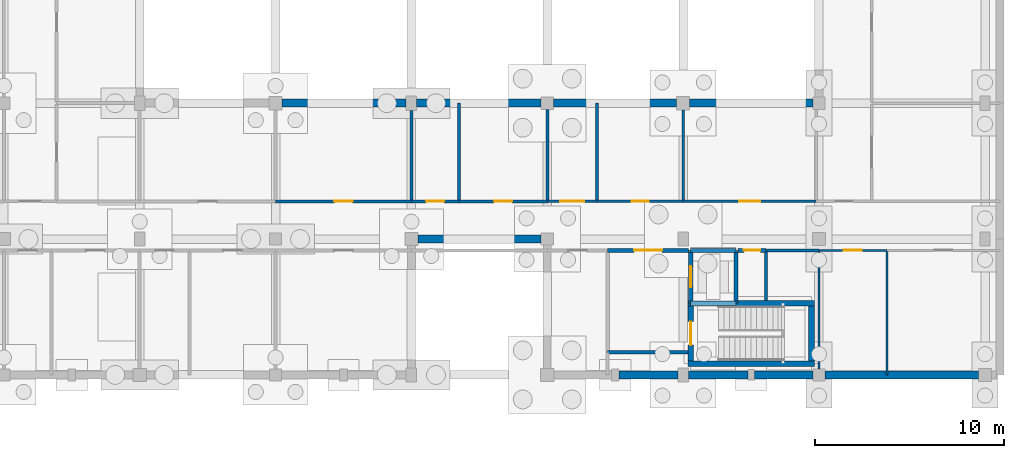
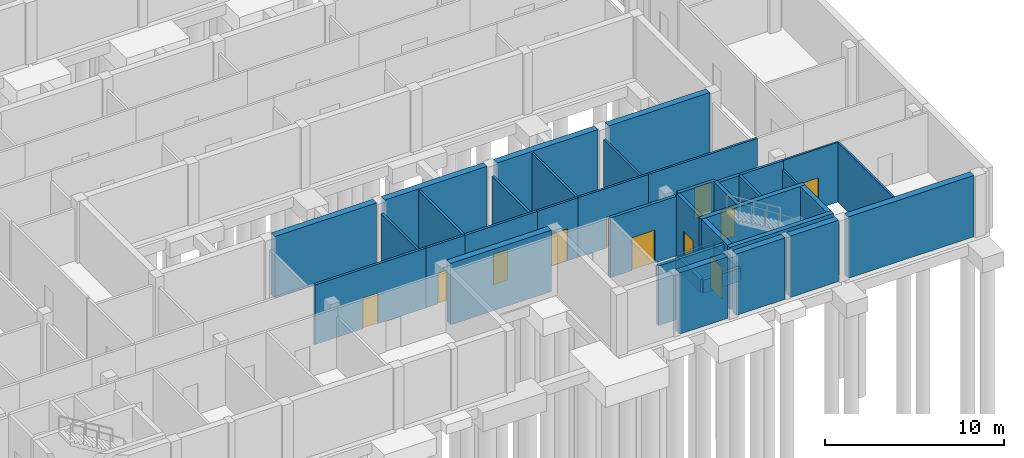
# One storey, part 9 of 17: 39 walls, 11 doors, 11 openings.
"""IFC4 building model written with IfcOpenShell, lengths in metres."""

from ifc_helpers import new_model, si_unit, direction, frame, frame_2d, origin, place, context, subcontext, project, spatial, rectangle, extrude, material, layer, layer_set, type_object, element, fill, save


model = new_model("IFC4")

# Units and contexts
model_context = context("Model", 3, precision=1e-05, world=origin(), true_north=direction((0.0, 1.0)))
body_context = subcontext(model_context, "Body", "Model", "MODEL_VIEW")
ifc_project = project(units=[si_unit("LENGTHUNIT", "METRE"), si_unit("AREAUNIT", "SQUARE_METRE"), si_unit("VOLUMEUNIT", "CUBIC_METRE"), si_unit("PLANEANGLEUNIT", "RADIAN"), si_unit("MASSUNIT", "GRAM", prefix="KILO")], contexts=[model_context])

# Site, building, storey
site_placement = place(None, origin())
site = spatial("IfcSite", under=ifc_project, at=site_placement, CompositionType="ELEMENT")
building_placement = place(site_placement, origin())
building = spatial("IfcBuilding", under=site, at=building_placement, Name="Hawrajan Terrace Health Centre", CompositionType="ELEMENT")
storey_placement = place(building_placement, frame((0.0, 0.0, -4.5)))
storey = spatial("IfcBuildingStorey", under=building, at=storey_placement, Name="B1", CompositionType="ELEMENT", Elevation=-4.5)

# Wall, opening, door
ifc_material_1 = material(Name="Gypsum board on acoustic stud framing")
ifc_layer_1 = layer(ifc_material_1, 0.139892578125)
ifc_layer_set_1 = layer_set([ifc_layer_1], Name="Gypsum board on acoustic stud framing")
wall_type_1 = type_object("IfcWallType", Name="ClinicalAcousticWall_140", PredefinedType="PARTITIONING", material=ifc_layer_set_1)
wall_1_placement = place(storey_placement, frame((47.800048828125, 13.39990234375, 0.0), z_axis=(0.0, 0.0, 1.0), x_axis=(1.0, 0.0, 0.0)))
wall_1 = element("IfcWall", 1, at=wall_1_placement, inside=storey, type_object=wall_type_1, Name="Interior wall IW-B1-0111", PredefinedType="PARTITIONING", context=body_context, shape_type="SweptSolid", body=[
    extrude(rectangle(XDim=2.635009765625, YDim=0.139892578125, at=frame_2d((1.3173828125, 0.0))), origin(), (0.0, 0.0, 1.0), 4.080078125),
])
opening_1_placement = place(wall_1_placement, frame((0.677490234375, 0.0, 0.0)))
opening_1 = element("IfcOpeningElement", 2, at=opening_1_placement, cuts=wall_1, Name="Opening D-B1-069", PredefinedType="OPENING", context=body_context, shape_type="SweptSolid", body=[
    extrude(rectangle(XDim=1.280029296875, YDim=2.199951171875, at=frame_2d((0.64013671875, 1.10009765625))), frame((0.0, 0.079833984375, 0.0), z_axis=(0.0, -1.0, 0.0), x_axis=(1.0, 0.0, 0.0)), (0.0, 0.0, 1.0), 0.159912109375),
])
ifc_material_2 = material(Name="Hardwood acoustic clinical door leaf and frame", Category="wood")
door_type_1 = type_object("IfcDoorType", Name="ExamSuiteDoor_1280x2200", OperationType="NOTDEFINED", PredefinedType="DOOR", material=ifc_material_2)
door_1_placement = place(opening_1_placement, origin())
door_1 = element("IfcDoor", 3, at=door_1_placement, inside=storey, type_object=door_type_1, Name="Interior door D-B1-069", OperationType="SINGLE_SWING_LEFT", OverallHeight=2.199951171875, OverallWidth=1.280029296875, PredefinedType="DOOR", context=body_context, shape_type="SweptSolid", body=[
    extrude(rectangle(XDim=1.280029296875, YDim=2.199951171875, at=frame_2d((0.64013671875, 1.10009765625))), frame((0.0, 0.02490234375, 0.0), z_axis=(0.0, -1.0, 0.0), x_axis=(1.0, 0.0, 0.0)), (0.0, 0.0, 1.0), 0.050048828125),
])
fill(opening_1, door_1)

# Wall
wall_2_placement = place(storey_placement, frame((50.43505859375, 13.469970703125, 0.0), z_axis=(0.0, 0.0, 1.0), x_axis=(0.0, 1.0, 0.0)))
element("IfcWall", 4, at=wall_2_placement, inside=storey, type_object=wall_type_1, Name="Interior wall IW-B1-0118", PredefinedType="PARTITIONING", context=body_context, shape_type="SweptSolid", body=[
    extrude(rectangle(XDim=5.130126953125, YDim=0.139892578125, at=frame_2d((2.56494140625, 0.0))), origin(), (0.0, 0.0, 1.0), 4.080078125),
])

# Wall, opening, door
wall_3_placement = place(storey_placement, frame((50.43505859375, 13.39990234375, 0.0), z_axis=(0.0, 0.0, 1.0), x_axis=(1.0, 0.0, 0.0)))
wall_3 = element("IfcWall", 5, at=wall_3_placement, inside=storey, type_object=wall_type_1, Name="Interior wall IW-B1-0119", PredefinedType="PARTITIONING", context=body_context, shape_type="SweptSolid", body=[
    extrude(rectangle(XDim=4.56494140625, YDim=0.139892578125, at=frame_2d((2.282470703125, 0.0))), origin(), (0.0, 0.0, 1.0), 4.080078125),
])
opening_2_placement = place(wall_3_placement, frame((1.83251953125, 0.0, 0.0)))
opening_2 = element("IfcOpeningElement", 6, at=opening_2_placement, cuts=wall_3, Name="Opening D-B1-070", PredefinedType="OPENING", context=body_context, shape_type="SweptSolid", body=[
    extrude(rectangle(XDim=0.89990234375, YDim=2.10009765625, at=frame_2d((0.449951171875, 1.050048828125))), frame((0.0, 0.079833984375, 0.0), z_axis=(0.0, -1.0, 0.0), x_axis=(1.0, 0.0, 0.0)), (0.0, 0.0, 1.0), 0.159912109375),
])
door_type_2 = type_object("IfcDoorType", Name="PatientWCDoor_900x2100", OperationType="NOTDEFINED", PredefinedType="DOOR", material=ifc_material_2)
door_2_placement = place(opening_2_placement, origin())
door_2 = element("IfcDoor", 7, at=door_2_placement, inside=storey, type_object=door_type_2, Name="Interior door D-B1-070", OperationType="SINGLE_SWING_RIGHT", OverallHeight=2.10009765625, OverallWidth=0.89990234375, PredefinedType="DOOR", context=body_context, shape_type="SweptSolid", body=[
    extrude(rectangle(XDim=0.89990234375, YDim=2.10009765625, at=frame_2d((0.449951171875, 1.050048828125))), frame((0.0, 0.02490234375, 0.0), z_axis=(0.0, -1.0, 0.0), x_axis=(1.0, 0.0, 0.0)), (0.0, 0.0, 1.0), 0.050048828125),
])
fill(opening_2, door_2)

# Wall
wall_4_placement = place(storey_placement, frame((55.0, 13.469970703125, 0.0), z_axis=(0.0, 0.0, 1.0), x_axis=(0.0, 1.0, 0.0)))
element("IfcWall", 8, at=wall_4_placement, inside=storey, type_object=wall_type_1, Name="Interior wall IW-B1-0125", PredefinedType="PARTITIONING", context=body_context, shape_type="SweptSolid", body=[
    extrude(rectangle(XDim=4.780029296875, YDim=0.139892578125, at=frame_2d((2.39013671875, 0.0))), origin(), (0.0, 0.0, 1.0), 3.5),
])

# Wall, opening, door
wall_5_placement = place(storey_placement, frame((55.0, 13.39990234375, 0.0), z_axis=(0.0, 0.0, 1.0), x_axis=(1.0, 0.0, 0.0)))
wall_5 = element("IfcWall", 9, at=wall_5_placement, inside=storey, type_object=wall_type_1, Name="Interior wall IW-B1-0126", PredefinedType="PARTITIONING", context=body_context, shape_type="SweptSolid", body=[
    extrude(rectangle(XDim=7.050048828125, YDim=0.139892578125, at=frame_2d((3.52490234375, 0.0))), origin(), (0.0, 0.0, 1.0), 4.080078125),
])
opening_3_placement = place(wall_5_placement, frame((2.97509765625, 0.0, 0.0)))
opening_3 = element("IfcOpeningElement", 10, at=opening_3_placement, cuts=wall_5, Name="Opening D-B1-071", PredefinedType="OPENING", context=body_context, shape_type="SweptSolid", body=[
    extrude(rectangle(XDim=1.10009765625, YDim=2.10009765625, at=frame_2d((0.550048828125, 1.050048828125))), frame((0.0, 0.079833984375, 0.0), z_axis=(0.0, -1.0, 0.0), x_axis=(1.0, 0.0, 0.0)), (0.0, 0.0, 1.0), 0.159912109375),
])
door_type_3 = type_object("IfcDoorType", Name="ConsultDoor_1100x2100", OperationType="NOTDEFINED", PredefinedType="DOOR", material=ifc_material_2)
door_3_placement = place(opening_3_placement, origin())
door_3 = element("IfcDoor", 11, at=door_3_placement, inside=storey, type_object=door_type_3, Name="Interior door D-B1-071", OperationType="SINGLE_SWING_LEFT", OverallHeight=2.10009765625, OverallWidth=1.10009765625, PredefinedType="DOOR", context=body_context, shape_type="SweptSolid", body=[
    extrude(rectangle(XDim=1.10009765625, YDim=2.10009765625, at=frame_2d((0.550048828125, 1.050048828125))), frame((0.0, 0.02490234375, 0.0), z_axis=(0.0, -1.0, 0.0), x_axis=(1.0, 0.0, 0.0)), (0.0, 0.0, 1.0), 0.050048828125),
])
fill(opening_3, door_3)

# Walls
ifc_material_3 = material(Name="Concrete C40/50", Category="concrete")
ifc_layer_2 = layer(ifc_material_3, 0.300048828125)
ifc_layer_set_2 = layer_set([ifc_layer_2], Name="Concrete C40/50")
wall_type_2 = type_object("IfcWallType", Name="CoreShearWall_RC300", PredefinedType="SHEAR", material=ifc_layer_set_2)
for number, where, z_axis, x_axis, name in (
    (12, (55.25, 4.800048828125, 0.0), (0.0, 0.0, 1.0), (1.0, 0.0, 0.0), "Core shear wall SW-C4-B1-S"),
    (13, (55.25, 8.0, 0.0), (0.0, 0.0, 1.0), (1.0, 0.0, 0.0), "Core shear wall SW-C4-B1-N"),
):
    element("IfcWall", number, at=place(storey_placement, frame(where, z_axis=z_axis, x_axis=x_axis)), inside=storey, type_object=wall_type_2, Name=name, PredefinedType="SHEAR", context=body_context, shape_type="SweptSolid", body=[
        extrude(rectangle(XDim=6.699951171875, YDim=0.300048828125, at=frame_2d((3.35009765625, 0.0))), origin(), (0.0, 0.0, 1.0), 4.25),
    ])

# Wall, opening, door
wall_6_placement = place(storey_placement, frame((55.39990234375, 4.949951171875, 0.0), z_axis=(0.0, 0.0, 1.0), x_axis=(0.0, 1.0, 0.0)))
wall_6 = element("IfcWall", 14, at=wall_6_placement, inside=storey, type_object=wall_type_2, Name="Core shear wall SW-C4-B1-W", PredefinedType="SHEAR", context=body_context, shape_type="SweptSolid", body=[
    extrude(rectangle(XDim=2.900146484375, YDim=0.300048828125, at=frame_2d((1.4501953125, 0.0))), origin(), (0.0, 0.0, 1.0), 4.25),
])
opening_4_placement = place(wall_6_placement, frame((0.824951171875, 0.0, 0.0)))
opening_4 = element("IfcOpeningElement", 15, at=opening_4_placement, cuts=wall_6, Name="Opening D-B1-004", PredefinedType="OPENING", context=body_context, shape_type="SweptSolid", body=[
    extrude(rectangle(XDim=1.25, YDim=2.14990234375, at=frame_2d((0.625, 1.074951171875))), frame((0.0, 0.159912109375, 0.0), z_axis=(0.0, -1.0, 0.0), x_axis=(1.0, 0.0, 0.0)), (0.0, 0.0, 1.0), 0.320068359375),
])
ifc_material_4 = material(Name="Timber-veneered acoustic fire-resisting door assembly", Category="wood")
door_type_4 = type_object("IfcDoorType", Name="CoreStairDoor_1250x2150", OperationType="NOTDEFINED", PredefinedType="DOOR", material=ifc_material_4)
door_4_placement = place(opening_4_placement, origin())
door_4 = element("IfcDoor", 16, at=door_4_placement, inside=storey, type_object=door_type_4, Name="Interior door D-B1-004", OperationType="SINGLE_SWING_RIGHT", OverallHeight=2.14990234375, OverallWidth=1.25, PredefinedType="DOOR", context=body_context, shape_type="SweptSolid", body=[
    extrude(rectangle(XDim=1.25, YDim=2.14990234375, at=frame_2d((0.625, 1.074951171875))), frame((0.0, 0.02490234375, 0.0), z_axis=(0.0, -1.0, 0.0), x_axis=(1.0, 0.0, 0.0)), (0.0, 0.0, 1.0), 0.050048828125),
])
fill(opening_4, door_4)

# Wall
wall_7_placement = place(storey_placement, frame((61.800048828125, 4.949951171875, 0.0), z_axis=(0.0, 0.0, 1.0), x_axis=(0.0, 1.0, 0.0)))
element("IfcWall", 17, at=wall_7_placement, inside=storey, type_object=wall_type_2, Name="Core shear wall SW-C4-B1-E", PredefinedType="SHEAR", context=body_context, shape_type="SweptSolid", body=[
    extrude(rectangle(XDim=2.900146484375, YDim=0.300048828125, at=frame_2d((1.4501953125, 0.0))), origin(), (0.0, 0.0, 1.0), 4.25),
])

# Wall, opening, door
ifc_layer_3 = layer(ifc_material_1, 0.159912109375)
ifc_layer_set_3 = layer_set([ifc_layer_3], Name="Gypsum board on acoustic stud framing")
wall_type_3 = type_object("IfcWallType", Name="CorridorFireWall_160", PredefinedType="PARTITIONING", material=ifc_layer_set_3)
wall_8_placement = place(storey_placement, frame((33.39990234375, 13.39990234375, 0.0), z_axis=(0.0, 0.0, 1.0), x_axis=(1.0, 0.0, 0.0)))
wall_8 = element("IfcWall", 18, at=wall_8_placement, inside=storey, type_object=wall_type_3, Name="Interior wall IW-B1-0082", PredefinedType="PARTITIONING", context=body_context, shape_type="SweptSolid", body=[
    extrude(rectangle(XDim=7.2001953125, YDim=0.159912109375, at=frame_2d((3.60009765625, 0.0))), origin(), (0.0, 0.0, 1.0), 4.080078125),
])
opening_5_placement = place(wall_8_placement, frame((3.1201171875, 0.0, 0.0)))
opening_5 = element("IfcOpeningElement", 19, at=opening_5_placement, cuts=wall_8, Name="Opening D-B1-088", PredefinedType="OPENING", context=body_context, shape_type="SweptSolid", body=[
    extrude(rectangle(XDim=0.9599609375, YDim=2.10009765625, at=frame_2d((0.47998046875, 1.050048828125))), frame((0.0, 0.08984375, 0.0), z_axis=(0.0, -1.0, 0.0), x_axis=(1.0, 0.0, 0.0)), (0.0, 0.0, 1.0), 0.179931640625),
])
door_type_5 = type_object("IfcDoorType", Name="ClinicalFireDoor_960x2100", OperationType="NOTDEFINED", PredefinedType="DOOR", material=ifc_material_4)
door_5_placement = place(opening_5_placement, origin())
door_5 = element("IfcDoor", 20, at=door_5_placement, inside=storey, type_object=door_type_5, Name="Interior door D-B1-088", OperationType="SINGLE_SWING_RIGHT", OverallHeight=2.10009765625, OverallWidth=0.9599609375, PredefinedType="DOOR", context=body_context, shape_type="SweptSolid", body=[
    extrude(rectangle(XDim=0.9599609375, YDim=2.10009765625, at=frame_2d((0.47998046875, 1.050048828125))), frame((0.0, 0.02490234375, 0.0), z_axis=(0.0, -1.0, 0.0), x_axis=(1.0, 0.0, 0.0)), (0.0, 0.0, 1.0), 0.050048828125),
])
fill(opening_5, door_5)

# Wall
wall_9_placement = place(storey_placement, frame((40.60009765625, 13.469970703125, 0.0), z_axis=(0.0, 0.0, 1.0), x_axis=(0.0, 1.0, 0.0)))
element("IfcWall", 21, at=wall_9_placement, inside=storey, type_object=wall_type_3, Name="Interior wall IW-B1-0093", PredefinedType="PARTITIONING", context=body_context, shape_type="SweptSolid", body=[
    extrude(rectangle(XDim=4.755126953125, YDim=0.159912109375, at=frame_2d((2.37744140625, 0.0))), origin(), (0.0, 0.0, 1.0), 3.5),
])

# Wall, opening, door
wall_10_placement = place(storey_placement, frame((40.60009765625, 13.39990234375, 0.0), z_axis=(0.0, 0.0, 1.0), x_axis=(1.0, 0.0, 0.0)))
wall_10 = element("IfcWall", 22, at=wall_10_placement, inside=storey, type_object=wall_type_3, Name="Interior wall IW-B1-0094", PredefinedType="PARTITIONING", context=body_context, shape_type="SweptSolid", body=[
    extrude(rectangle(XDim=2.512939453125, YDim=0.159912109375, at=frame_2d((1.25634765625, 0.0))), origin(), (0.0, 0.0, 1.0), 4.080078125),
])
opening_6_placement = place(wall_10_placement, frame((0.776611328125, 0.0, 0.0)))
opening_6 = element("IfcOpeningElement", 23, at=opening_6_placement, cuts=wall_10, Name="Opening D-B1-089", PredefinedType="OPENING", context=body_context, shape_type="SweptSolid", body=[
    extrude(rectangle(XDim=0.9599609375, YDim=2.10009765625, at=frame_2d((0.47998046875, 1.050048828125))), frame((0.0, 0.08984375, 0.0), z_axis=(0.0, -1.0, 0.0), x_axis=(1.0, 0.0, 0.0)), (0.0, 0.0, 1.0), 0.179931640625),
])
door_6_placement = place(opening_6_placement, origin())
door_6 = element("IfcDoor", 24, at=door_6_placement, inside=storey, type_object=door_type_5, Name="Interior door D-B1-089", OperationType="SINGLE_SWING_LEFT", OverallHeight=2.10009765625, OverallWidth=0.9599609375, PredefinedType="DOOR", context=body_context, shape_type="SweptSolid", body=[
    extrude(rectangle(XDim=0.9599609375, YDim=2.10009765625, at=frame_2d((0.47998046875, 1.050048828125))), frame((0.0, 0.02490234375, 0.0), z_axis=(0.0, -1.0, 0.0), x_axis=(1.0, 0.0, 0.0)), (0.0, 0.0, 1.0), 0.050048828125),
])
fill(opening_6, door_6)

# Wall
wall_11_placement = place(storey_placement, frame((43.113037109375, 13.469970703125, 0.0), z_axis=(0.0, 0.0, 1.0), x_axis=(0.0, 1.0, 0.0)))
element("IfcWall", 25, at=wall_11_placement, inside=storey, type_object=wall_type_3, Name="Interior wall IW-B1-0103", PredefinedType="PARTITIONING", context=body_context, shape_type="SweptSolid", body=[
    extrude(rectangle(XDim=5.130126953125, YDim=0.159912109375, at=frame_2d((2.56494140625, 0.0))), origin(), (0.0, 0.0, 1.0), 4.080078125),
])

# Wall, opening, door
wall_12_placement = place(storey_placement, frame((43.113037109375, 13.39990234375, 0.0), z_axis=(0.0, 0.0, 1.0), x_axis=(1.0, 0.0, 0.0)))
wall_12 = element("IfcWall", 26, at=wall_12_placement, inside=storey, type_object=wall_type_3, Name="Interior wall IW-B1-0104", PredefinedType="PARTITIONING", context=body_context, shape_type="SweptSolid", body=[
    extrude(rectangle(XDim=4.68701171875, YDim=0.159912109375, at=frame_2d((2.343505859375, 0.0))), origin(), (0.0, 0.0, 1.0), 4.080078125),
])
opening_7_placement = place(wall_12_placement, frame((1.863525390625, 0.0, 0.0)))
opening_7 = element("IfcOpeningElement", 27, at=opening_7_placement, cuts=wall_12, Name="Opening D-B1-090", PredefinedType="OPENING", context=body_context, shape_type="SweptSolid", body=[
    extrude(rectangle(XDim=0.9599609375, YDim=2.10009765625, at=frame_2d((0.47998046875, 1.050048828125))), frame((0.0, 0.08984375, 0.0), z_axis=(0.0, -1.0, 0.0), x_axis=(1.0, 0.0, 0.0)), (0.0, 0.0, 1.0), 0.179931640625),
])
door_7_placement = place(opening_7_placement, origin())
door_7 = element("IfcDoor", 28, at=door_7_placement, inside=storey, type_object=door_type_5, Name="Interior door D-B1-090", OperationType="SINGLE_SWING_RIGHT", OverallHeight=2.10009765625, OverallWidth=0.9599609375, PredefinedType="DOOR", context=body_context, shape_type="SweptSolid", body=[
    extrude(rectangle(XDim=0.9599609375, YDim=2.10009765625, at=frame_2d((0.47998046875, 1.050048828125))), frame((0.0, 0.02490234375, 0.0), z_axis=(0.0, -1.0, 0.0), x_axis=(1.0, 0.0, 0.0)), (0.0, 0.0, 1.0), 0.050048828125),
])
fill(opening_7, door_7)

# Walls
wall_13_placement = place(storey_placement, frame((47.800048828125, 13.469970703125, 0.0), z_axis=(0.0, 0.0, 1.0), x_axis=(0.0, 1.0, 0.0)))
element("IfcWall", 29, at=wall_13_placement, inside=storey, type_object=wall_type_3, Name="Interior wall IW-B1-0110", PredefinedType="PARTITIONING", context=body_context, shape_type="SweptSolid", body=[
    extrude(rectangle(XDim=4.804931640625, YDim=0.159912109375, at=frame_2d((2.40234375, 0.0))), origin(), (0.0, 0.0, 1.0), 3.5),
])
wall_14_placement = place(storey_placement, frame((59.39990234375, 8.139892578125, 0.0), z_axis=(0.0, 0.0, 1.0), x_axis=(0.0, 1.0, 0.0)))
element("IfcWall", 30, at=wall_14_placement, inside=storey, type_object=wall_type_3, Name="Interior wall IW-B1-0174", PredefinedType="PARTITIONING", context=body_context, shape_type="SweptSolid", body=[
    extrude(rectangle(XDim=2.590087890625, YDim=0.159912109375, at=frame_2d((1.294921875, 0.0))), origin(), (0.0, 0.0, 1.0), 4.080078125),
])
wall_15_placement = place(storey_placement, frame((59.39990234375, 10.800048828125, 0.0), z_axis=(0.0, 0.0, 1.0), x_axis=(1.0, 0.0, 0.0)))
element("IfcWall", 31, at=wall_15_placement, inside=storey, type_object=wall_type_3, Name="Interior wall IW-B1-0187", PredefinedType="PARTITIONING", context=body_context, shape_type="SweptSolid", body=[
    extrude(rectangle(XDim=2.800048828125, YDim=0.159912109375, at=frame_2d((1.39990234375, 0.0))), origin(), (0.0, 0.0, 1.0), 4.080078125),
])

# Wall, opening, door
ifc_material_5 = material(Name="Cross-laminated timber CLT C24", Category="wood")
ifc_layer_4 = layer(ifc_material_5, 0.199951171875)
ifc_layer_set_4 = layer_set([ifc_layer_4], Name="Cross-laminated timber CLT C24")
wall_type_4 = type_object("IfcWallType", Name="FireCompartmentWall_200", PredefinedType="PARTITIONING", material=ifc_layer_set_4)
wall_16_placement = place(storey_placement, frame((51.0, 10.800048828125, 0.0), z_axis=(0.0, 0.0, 1.0), x_axis=(1.0, 0.0, 0.0)))
wall_16 = element("IfcWall", 32, at=wall_16_placement, inside=storey, type_object=wall_type_4, Name="Interior wall IW-B1-0124", PredefinedType="PARTITIONING", context=body_context, shape_type="SweptSolid", body=[
    extrude(rectangle(XDim=4.2900390625, YDim=0.199951171875, at=frame_2d((2.14501953125, 0.0))), origin(), (0.0, 0.0, 1.0), 4.080078125),
])
opening_8_placement = place(wall_16_placement, frame((1.405029296875, 0.0, 0.0)))
opening_8 = element("IfcOpeningElement", 33, at=opening_8_placement, cuts=wall_16, Name="Opening D-B1-008", PredefinedType="OPENING", context=body_context, shape_type="SweptSolid", body=[
    extrude(rectangle(XDim=1.47998046875, YDim=2.25, at=frame_2d((0.739990234375, 1.125))), frame((0.0, 0.10986328125, 0.0), z_axis=(0.0, -1.0, 0.0), x_axis=(1.0, 0.0, 0.0)), (0.0, 0.0, 1.0), 0.219970703125),
])
door_type_6 = type_object("IfcDoorType", Name="FFLobbyDoor_1480x2250", OperationType="DOUBLE_DOOR_SINGLE_SWING", PredefinedType="DOOR", material=ifc_material_4)
door_8_placement = place(opening_8_placement, origin())
door_8 = element("IfcDoor", 34, at=door_8_placement, inside=storey, type_object=door_type_6, Name="Interior door D-B1-008", OperationType="DOUBLE_DOOR_SINGLE_SWING", OverallHeight=2.25, OverallWidth=1.47998046875, PredefinedType="DOOR", context=body_context, shape_type="SweptSolid", body=[
    extrude(rectangle(XDim=1.47998046875, YDim=2.25, at=frame_2d((0.739990234375, 1.125))), frame((0.0, 0.02490234375, 0.0), z_axis=(0.0, -1.0, 0.0), x_axis=(1.0, 0.0, 0.0)), (0.0, 0.0, 1.0), 0.050048828125),
])
fill(opening_8, door_8)

# Walls
wall_17_placement = place(storey_placement, frame((51.0, 5.39990234375, 0.0), z_axis=(0.0, 0.0, 1.0), x_axis=(1.0, 0.0, 0.0)))
element("IfcWall", 35, at=wall_17_placement, inside=storey, type_object=wall_type_4, Name="Interior wall IW-B1-0178", PredefinedType="PARTITIONING", context=body_context, shape_type="SweptSolid", body=[
    extrude(rectangle(XDim=4.260009765625, YDim=0.199951171875, at=frame_2d((2.1298828125, 0.0))), origin(), (0.0, 0.0, 1.0), 4.080078125),
])
ifc_layer_5 = layer(ifc_material_3, 0.419921875)
ifc_layer_set_5 = layer_set([ifc_layer_5], Name="Concrete C40/50")
wall_type_5 = type_object("IfcWallType", Name="RetainingWall_RC420", PredefinedType="USERDEFINED", material=ifc_layer_set_5)
wall_18_placement = place(storey_placement, frame((33.75, 18.60009765625, 0.0), z_axis=(0.0, 0.0, 1.0), x_axis=(1.0, 0.0, 0.0)))
element("IfcWall", 36, at=wall_18_placement, inside=storey, type_object=wall_type_5, Name="Exterior wall EW-B1-H04-02-1", ObjectType="RETAINING WALL", PredefinedType="USERDEFINED", context=body_context, shape_type="SweptSolid", body=[
    extrude(rectangle(XDim=6.574951171875, YDim=0.419921875, at=frame_2d((3.28759765625, 0.0))), origin(), (0.0, 0.0, 1.0), 4.199951171875),
])
wall_19_placement = place(storey_placement, frame((40.949951171875, 11.39990234375, 0.0), z_axis=(0.0, 0.0, 1.0), x_axis=(1.0, 0.0, 0.0)))
element("IfcWall", 37, at=wall_19_placement, inside=storey, type_object=wall_type_5, Name="Exterior wall EW-B1-H05-01-1", ObjectType="RETAINING WALL", PredefinedType="USERDEFINED", context=body_context, shape_type="SweptSolid", body=[
    extrude(rectangle(XDim=6.525146484375, YDim=0.419921875, at=frame_2d((3.2626953125, 0.0))), origin(), (0.0, 0.0, 1.0), 4.199951171875),
])
wall_20_placement = place(storey_placement, frame((40.875, 18.60009765625, 0.0), z_axis=(0.0, 0.0, 1.0), x_axis=(1.0, 0.0, 0.0)))
element("IfcWall", 38, at=wall_20_placement, inside=storey, type_object=wall_type_5, Name="Exterior wall EW-B1-H05-02-1", ObjectType="RETAINING WALL", PredefinedType="USERDEFINED", context=body_context, shape_type="SweptSolid", body=[
    extrude(rectangle(XDim=6.60009765625, YDim=0.419921875, at=frame_2d((3.300048828125, 0.0))), origin(), (0.0, 0.0, 1.0), 4.199951171875),
])
wall_21_placement = place(storey_placement, frame((51.60009765625, 4.199951171875, 0.0), z_axis=(0.0, 0.0, 1.0), x_axis=(1.0, 0.0, 0.0)))
element("IfcWall", 39, at=wall_21_placement, inside=storey, type_object=wall_type_5, Name="Exterior wall EW-B1-H06-00-2", ObjectType="RETAINING WALL", PredefinedType="USERDEFINED", context=body_context, shape_type="SweptSolid", body=[
    extrude(rectangle(XDim=3.125, YDim=0.419921875, at=frame_2d((1.5625, 0.0))), origin(), (0.0, 0.0, 1.0), 4.199951171875),
])
wall_22_placement = place(storey_placement, frame((48.125, 18.60009765625, 0.0), z_axis=(0.0, 0.0, 1.0), x_axis=(1.0, 0.0, 0.0)))
element("IfcWall", 40, at=wall_22_placement, inside=storey, type_object=wall_type_5, Name="Exterior wall EW-B1-H06-02-1", ObjectType="RETAINING WALL", PredefinedType="USERDEFINED", context=body_context, shape_type="SweptSolid", body=[
    extrude(rectangle(XDim=6.52490234375, YDim=0.419921875, at=frame_2d((3.262451171875, 0.0))), origin(), (0.0, 0.0, 1.0), 4.199951171875),
])
wall_23_placement = place(storey_placement, frame((55.27490234375, 4.199951171875, 0.0), z_axis=(0.0, 0.0, 1.0), x_axis=(1.0, 0.0, 0.0)))
element("IfcWall", 41, at=wall_23_placement, inside=storey, type_object=wall_type_5, Name="Exterior wall EW-B1-H07-00-1", ObjectType="RETAINING WALL", PredefinedType="USERDEFINED", context=body_context, shape_type="SweptSolid", body=[
    extrude(rectangle(XDim=3.150146484375, YDim=0.419921875, at=frame_2d((1.5751953125, 0.0))), origin(), (0.0, 0.0, 1.0), 4.199951171875),
])
wall_24_placement = place(storey_placement, frame((58.77490234375, 4.199951171875, 0.0), z_axis=(0.0, 0.0, 1.0), x_axis=(1.0, 0.0, 0.0)))
element("IfcWall", 42, at=wall_24_placement, inside=storey, type_object=wall_type_5, Name="Exterior wall EW-B1-H07-00-2", ObjectType="RETAINING WALL", PredefinedType="USERDEFINED", context=body_context, shape_type="SweptSolid", body=[
    extrude(rectangle(XDim=3.10009765625, YDim=0.419921875, at=frame_2d((1.550048828125, 0.0))), origin(), (0.0, 0.0, 1.0), 4.199951171875),
])
wall_25_placement = place(storey_placement, frame((55.35009765625, 18.60009765625, 0.0), z_axis=(0.0, 0.0, 1.0), x_axis=(1.0, 0.0, 0.0)))
element("IfcWall", 43, at=wall_25_placement, inside=storey, type_object=wall_type_5, Name="Exterior wall EW-B1-H07-02-1", ObjectType="RETAINING WALL", PredefinedType="USERDEFINED", context=body_context, shape_type="SweptSolid", body=[
    extrude(rectangle(XDim=6.52490234375, YDim=0.419921875, at=frame_2d((3.262451171875, 0.0))), origin(), (0.0, 0.0, 1.0), 4.199951171875),
])
wall_26_placement = place(storey_placement, frame((62.52490234375, 4.199951171875, 0.0), z_axis=(0.0, 0.0, 1.0), x_axis=(1.0, 0.0, 0.0)))
element("IfcWall", 44, at=wall_26_placement, inside=storey, type_object=wall_type_5, Name="Exterior wall EW-B1-H08-00-1", ObjectType="RETAINING WALL", PredefinedType="USERDEFINED", context=body_context, shape_type="SweptSolid", body=[
    extrude(rectangle(XDim=8.125, YDim=0.419921875, at=frame_2d((4.0625, 0.0))), origin(), (0.0, 0.0, 1.0), 4.199951171875),
])
ifc_layer_6 = layer(ifc_material_3, 0.219970703125)
ifc_layer_set_6 = layer_set([ifc_layer_6], Name="Concrete C40/50")
wall_type_6 = type_object("IfcWallType", Name="ShaftWall_RC220", PredefinedType="SOLIDWALL", material=ifc_layer_set_6)
wall_27_placement = place(storey_placement, frame((55.39990234375, 10.800048828125, 0.0), z_axis=(0.0, 0.0, 1.0), x_axis=(1.0, 0.0, 0.0)))
element("IfcWall", 45, at=wall_27_placement, inside=storey, type_object=wall_type_6, Name="Lift shaft wall LW-LC-05-B1-N", PredefinedType="SOLIDWALL", context=body_context, shape_type="SweptSolid", body=[
    extrude(rectangle(XDim=2.400146484375, YDim=0.219970703125, at=frame_2d((1.2001953125, 0.0))), origin(), (0.0, 0.0, 1.0), 4.25),
])

# Wall, opening, door
wall_28_placement = place(storey_placement, frame((55.39990234375, 8.110107421875, 0.0), z_axis=(0.0, 0.0, 1.0), x_axis=(0.0, 1.0, 0.0)))
wall_28 = element("IfcWall", 46, at=wall_28_placement, inside=storey, type_object=wall_type_6, Name="Lift shaft wall LW-LC-05-B1-W", PredefinedType="SOLIDWALL", context=body_context, shape_type="SweptSolid", body=[
    extrude(rectangle(XDim=2.579833984375, YDim=0.219970703125, at=frame_2d((1.2900390625, 0.0))), origin(), (0.0, 0.0, 1.0), 4.25),
])
opening_9_placement = place(wall_28_placement, frame((0.739990234375, 0.0, 0.0)))
opening_9 = element("IfcOpeningElement", 47, at=opening_9_placement, cuts=wall_28, Name="Opening LD-B1-LC-05", PredefinedType="OPENING", context=body_context, shape_type="SweptSolid", body=[
    extrude(rectangle(XDim=1.10009765625, YDim=2.14990234375, at=frame_2d((0.550048828125, 1.074951171875))), frame((0.0, 0.119873046875, 0.0), z_axis=(0.0, -1.0, 0.0), x_axis=(1.0, 0.0, 0.0)), (0.0, 0.0, 1.0), 0.239990234375),
])
ifc_material_6 = material(Name="Brushed bronze stainless-steel sliding lift landing door", Category="steel")
door_type_7 = type_object("IfcDoorType", Name="LiftLandingDoor_1100x2150", OperationType="SLIDING_TO_LEFT", PredefinedType="DOOR", material=ifc_material_6)
door_9_placement = place(opening_9_placement, origin())
door_9 = element("IfcDoor", 48, at=door_9_placement, inside=storey, type_object=door_type_7, Name="Lift landing door LD-B1-LC-05", OperationType="SLIDING_TO_LEFT", OverallHeight=2.14990234375, OverallWidth=1.10009765625, PredefinedType="DOOR", context=body_context, shape_type="SweptSolid", body=[
    extrude(rectangle(XDim=1.10009765625, YDim=2.14990234375, at=frame_2d((0.550048828125, 1.074951171875))), frame((0.0, 0.02490234375, 0.0), z_axis=(0.0, -1.0, 0.0), x_axis=(1.0, 0.0, 0.0)), (0.0, 0.0, 1.0), 0.050048828125),
])
fill(opening_9, door_9)

# Walls
wall_29_placement = place(storey_placement, frame((57.800048828125, 8.110107421875, 0.0), z_axis=(0.0, 0.0, 1.0), x_axis=(0.0, 1.0, 0.0)))
element("IfcWall", 49, at=wall_29_placement, inside=storey, type_object=wall_type_6, Name="Lift shaft wall LW-LC-05-B1-E", PredefinedType="SOLIDWALL", context=body_context, shape_type="SweptSolid", body=[
    extrude(rectangle(XDim=2.579833984375, YDim=0.219970703125, at=frame_2d((1.2900390625, 0.0))), origin(), (0.0, 0.0, 1.0), 4.25),
])
for number, where, z_axis, x_axis, name in (
    (50, (55.39990234375, 8.0, -0.89990234375), (0.0, 0.0, 1.0), (0.0, 1.0, 0.0), "Lift pit wall LC-05-W"),
    (51, (57.800048828125, 8.0, -0.89990234375), (0.0, 0.0, 1.0), (0.0, 1.0, 0.0), "Lift pit wall LC-05-E"),
):
    element("IfcWall", number, at=place(storey_placement, frame(where, z_axis=z_axis, x_axis=x_axis)), inside=storey, type_object=wall_type_6, Name=name, PredefinedType="SOLIDWALL", context=body_context, shape_type="SweptSolid", body=[
        extrude(rectangle(XDim=2.800048828125, YDim=0.219970703125, at=frame_2d((1.39990234375, 0.0))), origin(), (0.0, 0.0, 1.0), 0.89990234375),
    ])
for number, where, z_axis, x_axis, name in (
    (52, (55.39990234375, 8.0, -0.89990234375), (0.0, 0.0, 1.0), (1.0, 0.0, 0.0), "Lift pit wall LC-05-S"),
    (53, (55.39990234375, 10.800048828125, -0.89990234375), (0.0, 0.0, 1.0), (1.0, 0.0, 0.0), "Lift pit wall LC-05-N"),
):
    element("IfcWall", number, at=place(storey_placement, frame(where, z_axis=z_axis, x_axis=x_axis)), inside=storey, type_object=wall_type_6, Name=name, PredefinedType="SOLIDWALL", context=body_context, shape_type="SweptSolid", body=[
        extrude(rectangle(XDim=2.400146484375, YDim=0.219970703125, at=frame_2d((1.2001953125, 0.0))), origin(), (0.0, 0.0, 1.0), 0.89990234375),
    ])

# Wall, opening, door
wall_30_placement = place(storey_placement, frame((57.909912109375, 10.800048828125, 0.0), z_axis=(0.0, 0.0, 1.0), x_axis=(1.0, 0.0, 0.0)))
wall_30 = element("IfcWall", 54, at=wall_30_placement, inside=storey, type_object=wall_type_6, Name="Interior wall IW-B1-0134", PredefinedType="SOLIDWALL", context=body_context, shape_type="SweptSolid", body=[
    extrude(rectangle(XDim=1.489990234375, YDim=0.219970703125, at=frame_2d((0.7451171875, 0.0))), origin(), (0.0, 0.0, 1.0), 4.080078125),
])
opening_10_placement = place(wall_30_placement, frame((0.304931640625, 0.0, 0.0)))
opening_10 = element("IfcOpeningElement", 55, at=opening_10_placement, cuts=wall_30, Name="Opening D-B1-024", PredefinedType="OPENING", context=body_context, shape_type="SweptSolid", body=[
    extrude(rectangle(XDim=0.8798828125, YDim=2.050048828125, at=frame_2d((0.43994140625, 1.02490234375))), frame((0.0, 0.119873046875, 0.0), z_axis=(0.0, -1.0, 0.0), x_axis=(1.0, 0.0, 0.0)), (0.0, 0.0, 1.0), 0.239990234375),
])
door_type_8 = type_object("IfcDoorType", Name="RiserAccessDoor_880x2050", OperationType="NOTDEFINED", PredefinedType="DOOR", material=ifc_material_4)
door_10_placement = place(opening_10_placement, origin())
door_10 = element("IfcDoor", 56, at=door_10_placement, inside=storey, type_object=door_type_8, Name="Service riser access door D-B1-024", OperationType="SINGLE_SWING_RIGHT", OverallHeight=2.050048828125, OverallWidth=0.8798828125, PredefinedType="DOOR", context=body_context, shape_type="SweptSolid", body=[
    extrude(rectangle(XDim=0.8798828125, YDim=2.050048828125, at=frame_2d((0.43994140625, 1.02490234375))), frame((0.0, 0.02490234375, 0.0), z_axis=(0.0, -1.0, 0.0), x_axis=(1.0, 0.0, 0.0)), (0.0, 0.0, 1.0), 0.050048828125),
])
fill(opening_10, door_10)

ifc_material_7 = material(Name="Moisture-resistant board on stud framing")
ifc_layer_7 = layer(ifc_material_7, 0.1201171875)
ifc_layer_set_7 = layer_set([ifc_layer_7], Name="Moisture-resistant board on stud framing")
wall_type_7 = type_object("IfcWallType", Name="WetRoomPartition_120", PredefinedType="PLUMBINGWALL", material=ifc_layer_set_7)
wall_31_placement = place(storey_placement, frame((62.199951171875, 10.800048828125, 0.0), z_axis=(0.0, 0.0, 1.0), x_axis=(1.0, 0.0, 0.0)))
wall_31 = element("IfcWall", 57, at=wall_31_placement, inside=storey, type_object=wall_type_7, Name="Interior wall IW-B1-0142", PredefinedType="PLUMBINGWALL", context=body_context, shape_type="SweptSolid", body=[
    extrude(rectangle(XDim=3.60009765625, YDim=0.1201171875, at=frame_2d((1.800048828125, 0.0))), origin(), (0.0, 0.0, 1.0), 4.080078125),
])
opening_11_placement = place(wall_31_placement, frame((1.324951171875, 0.0, 0.0)))
opening_11 = element("IfcOpeningElement", 58, at=opening_11_placement, cuts=wall_31, Name="Opening D-B1-027", PredefinedType="OPENING", context=body_context, shape_type="SweptSolid", body=[
    extrude(rectangle(XDim=0.949951171875, YDim=2.10009765625, at=frame_2d((0.47509765625, 1.050048828125))), frame((0.0, 0.070068359375, 0.0), z_axis=(0.0, -1.0, 0.0), x_axis=(1.0, 0.0, 0.0)), (0.0, 0.0, 1.0), 0.14013671875),
])
door_type_9 = type_object("IfcDoorType", Name="AccessibleWCDoor_950x2100", OperationType="NOTDEFINED", PredefinedType="DOOR", material=ifc_material_2)
door_11_placement = place(opening_11_placement, origin())
door_11 = element("IfcDoor", 59, at=door_11_placement, inside=storey, type_object=door_type_9, Name="Interior door D-B1-027", OperationType="SINGLE_SWING_LEFT", OverallHeight=2.10009765625, OverallWidth=0.949951171875, PredefinedType="DOOR", context=body_context, shape_type="SweptSolid", body=[
    extrude(rectangle(XDim=0.949951171875, YDim=2.10009765625, at=frame_2d((0.47509765625, 1.050048828125))), frame((0.0, 0.02490234375, 0.0), z_axis=(0.0, -1.0, 0.0), x_axis=(1.0, 0.0, 0.0)), (0.0, 0.0, 1.0), 0.050048828125),
])
fill(opening_11, door_11)

# Walls
wall_32_placement = place(storey_placement, frame((65.800048828125, 4.199951171875, 0.0), z_axis=(0.0, 0.0, 1.0), x_axis=(0.0, 1.0, 0.0)))
element("IfcWall", 60, at=wall_32_placement, inside=storey, type_object=wall_type_7, Name="Interior wall IW-B1-0169", PredefinedType="PLUMBINGWALL", context=body_context, shape_type="SweptSolid", body=[
    extrude(rectangle(XDim=6.530029296875, YDim=0.1201171875, at=frame_2d((3.26513671875, 0.0))), origin(), (0.0, 0.0, 1.0), 4.080078125),
])
wall_33_placement = place(storey_placement, frame((62.199951171875, 4.52490234375, 0.0), z_axis=(0.0, 0.0, 1.0), x_axis=(0.0, 1.0, 0.0)))
element("IfcWall", 61, at=wall_33_placement, inside=storey, type_object=wall_type_7, Name="Interior wall IW-B1-0189", PredefinedType="PLUMBINGWALL", context=body_context, shape_type="SweptSolid", body=[
    extrude(rectangle(XDim=6.205078125, YDim=0.1201171875, at=frame_2d((3.1025390625, 0.0))), origin(), (0.0, 0.0, 1.0), 3.5),
])

save(model, "model.ifc")
